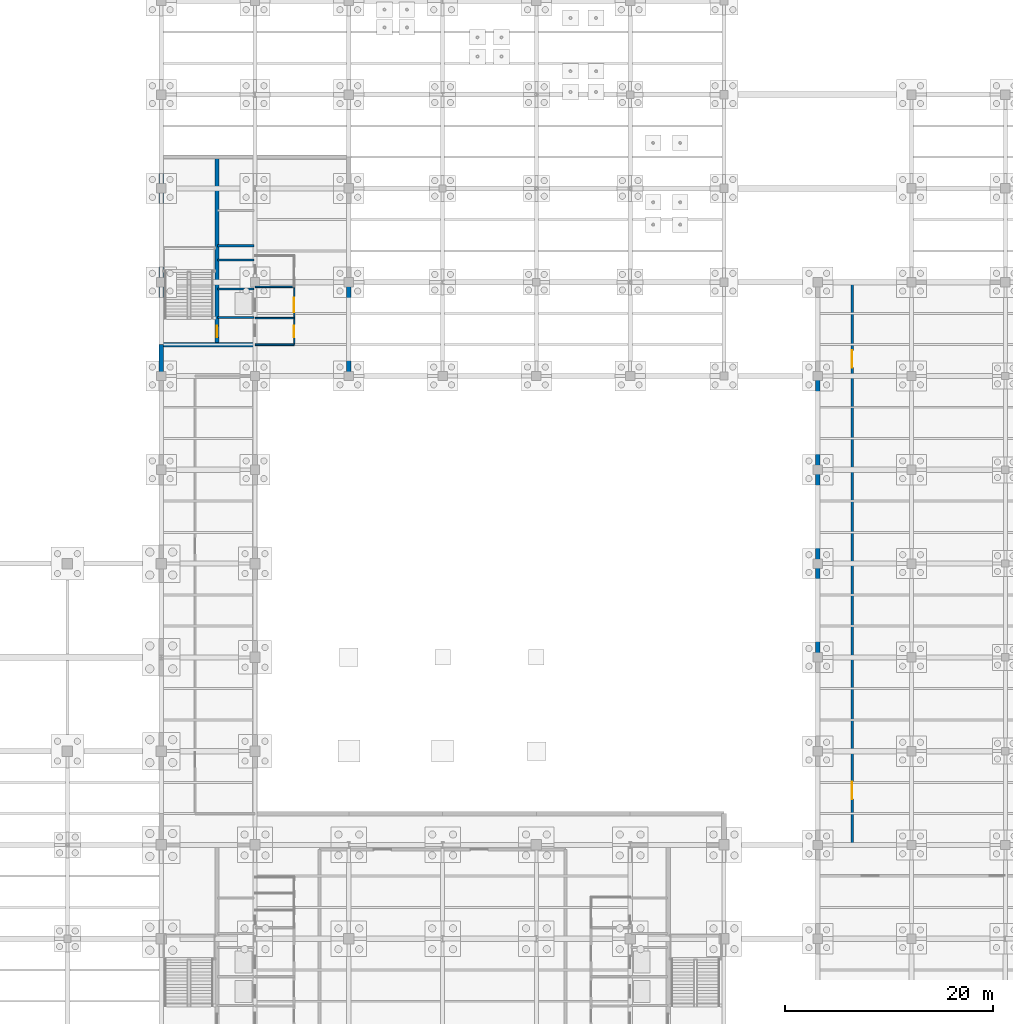
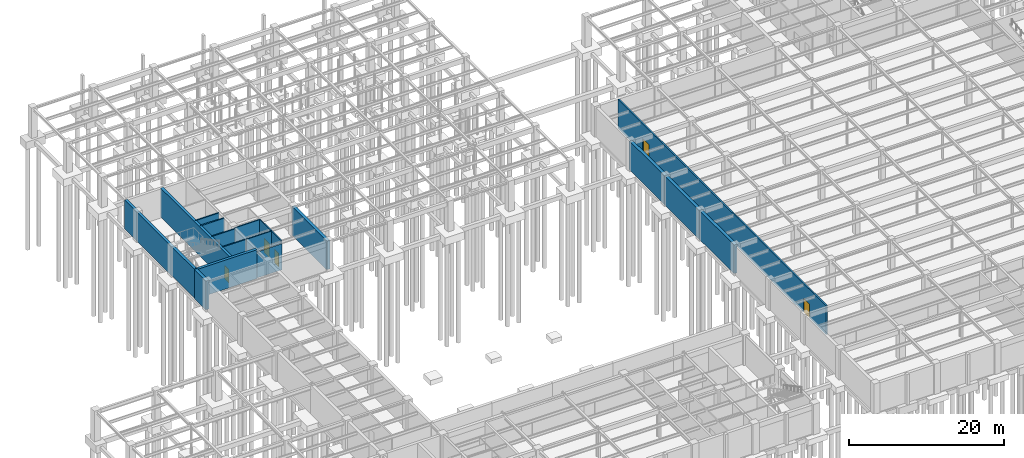
# One storey, part 42 of 49: 17 walls, 5 doors, 5 openings.
"""IFC4 building model written with IfcOpenShell, lengths in metres."""

from ifc_helpers import new_model, si_unit, direction, frame, frame_2d, origin, place, context, subcontext, project, spatial, rectangle, extrude, material, layer, layer_set, type_object, element, fill, save


model = new_model("IFC4")

# Units and contexts
model_context = context("Model", 3, precision=1e-05, world=origin(), true_north=direction((0.0, 1.0)))
body_context = subcontext(model_context, "Body", "Model", "MODEL_VIEW")
ifc_project = project(units=[si_unit("LENGTHUNIT", "METRE"), si_unit("AREAUNIT", "SQUARE_METRE"), si_unit("VOLUMEUNIT", "CUBIC_METRE"), si_unit("PLANEANGLEUNIT", "RADIAN"), si_unit("MASSUNIT", "GRAM", prefix="KILO")], contexts=[model_context])

# Site, building, storey
site_placement = place(None, origin())
site = spatial("IfcSite", under=ifc_project, at=site_placement, CompositionType="ELEMENT")
building_placement = place(site_placement, origin())
building = spatial("IfcBuilding", under=site, at=building_placement, Name="Lykobir Media Centre", CompositionType="ELEMENT")
storey_placement = place(building_placement, frame((0.0, 0.0, -4.800048828125)))
storey = spatial("IfcBuildingStorey", under=building, at=storey_placement, Name="B1", CompositionType="ELEMENT", Elevation=-4.800048828125)

# Walls
ifc_material_1 = material(Name="Concrete C35/45", Category="concrete")
ifc_layer_1 = layer(ifc_material_1, 0.449951171875, Name="Concrete C35/45")
ifc_layer_set_1 = layer_set([ifc_layer_1], Name="Concrete C35/45")
wall_type_1 = type_object("IfcWallType", Name="BW-RET-450", PredefinedType="USERDEFINED", material=ifc_layer_set_1)
for number, where, z_axis, x_axis, name in (
    (1, (90.0, 45.0, 0.0), (0.0, 0.0, 1.0), (0.0, -1.0, 0.0), "Basement retaining wall WALL-B1-0018"),
    (2, (90.0, 54.0, 0.0), (0.0, 0.0, 1.0), (0.0, -1.0, 0.0), "Basement retaining wall WALL-B1-0019"),
    (3, (90.0, 63.0, 0.0), (0.0, 0.0, 1.0), (0.0, -1.0, 0.0), "Basement retaining wall WALL-B1-0020"),
    (4, (45.0, 63.0, 0.0), (0.0, 0.0, 1.0), (0.0, 1.0, 0.0), "Basement retaining wall WALL-B1-0042"),
):
    element("IfcWall", number, at=place(storey_placement, frame(where, z_axis=z_axis, x_axis=x_axis)), inside=storey, type_object=wall_type_1, Name=name, ObjectType="RETAININGWALL", PredefinedType="USERDEFINED", context=body_context, shape_type="SweptSolid", body=[
        extrude(rectangle(XDim=9.0, YDim=0.449951171875, at=frame_2d((4.5, 0.0))), origin(), (0.0, 0.0, 1.0), 4.550048828125),
    ])
wall_1_placement = place(storey_placement, frame((27.0, 66.0, 0.0), z_axis=(0.0, 0.0, 1.0), x_axis=(0.0, -1.0, 0.0)))
element("IfcWall", 5, at=wall_1_placement, inside=storey, type_object=wall_type_1, Name="Basement retaining wall WALL-B1-0051", ObjectType="RETAININGWALL", PredefinedType="USERDEFINED", context=body_context, shape_type="SweptSolid", body=[
    extrude(rectangle(XDim=3.0, YDim=0.449951171875, at=frame_2d((1.5, 0.0))), origin(), (0.0, 0.0, 1.0), 4.550048828125),
])

# Wall, openings, doors
ifc_material_2 = material(Name="Acoustic Gypsum Board", Category="gypsum")
ifc_layer_2 = layer(ifc_material_2, 0.159912109375, Name="Acoustic Gypsum Board")
ifc_layer_set_2 = layer_set([ifc_layer_2], Name="Acoustic Gypsum Board")
wall_type_2 = type_object("IfcWallType", Name="IW-COR-160", PredefinedType="PARTITIONING", material=ifc_layer_set_2)
wall_2_placement = place(storey_placement, frame((39.75, 66.0, 0.0), z_axis=(0.0, 0.0, 1.0), x_axis=(0.0, 1.0, 0.0)))
wall_2 = element("IfcWall", 6, at=wall_2_placement, inside=storey, type_object=wall_type_2, Name="Wall IWALL-B1-0353", PredefinedType="PARTITIONING", context=body_context, shape_type="SweptSolid", body=[
    extrude(rectangle(XDim=5.550048828125, YDim=0.159912109375, at=frame_2d((2.77490234375, 0.0))), origin(), (0.0, 0.0, 1.0), 4.550048828125),
])
opening_1_placement = place(wall_2_placement, frame((0.699951171875, 0.0, 0.0)))
opening_1 = element("IfcOpeningElement", 7, at=opening_1_placement, cuts=wall_2, Name="Opening D-B1-C3LV", PredefinedType="OPENING", context=body_context, shape_type="SweptSolid", body=[
    extrude(rectangle(XDim=1.10009765625, YDim=2.159912109375, at=frame_2d((0.550048828125, 1.080078125))), frame((0.0, 0.08984375, 0.0), z_axis=(0.0, -1.0, 0.0), x_axis=(1.0, 0.0, 0.0)), (0.0, 0.0, 1.0), 0.179931640625),
])
opening_2_placement = place(wall_2_placement, frame((3.10009765625, 0.0, 0.0)))
opening_2 = element("IfcOpeningElement", 8, at=opening_2_placement, cuts=wall_2, Name="Opening D-B1-C3PL", PredefinedType="OPENING", context=body_context, shape_type="SweptSolid", body=[
    extrude(rectangle(XDim=1.39990234375, YDim=2.199951171875, at=frame_2d((0.699951171875, 1.10009765625))), frame((0.0, 0.08984375, 0.0), z_axis=(0.0, -1.0, 0.0), x_axis=(1.0, 0.0, 0.0)), (0.0, 0.0, 1.0), 0.179931640625),
])
ifc_material_3 = material(Name="Acoustic Timber Panelling", Category="wood")
door_type_1 = type_object("IfcDoorType", Name="FD-1100x2160", OperationType="NOTDEFINED", PredefinedType="DOOR", material=ifc_material_3)
door_1_placement = place(opening_1_placement, origin())
door_1 = element("IfcDoor", 9, at=door_1_placement, inside=storey, type_object=door_type_1, Name="Door D-B1-C3LV", OperationType="SINGLE_SWING_LEFT", OverallHeight=2.159912109375, OverallWidth=1.10009765625, PredefinedType="DOOR", context=body_context, shape_type="SweptSolid", body=[
    extrude(rectangle(XDim=1.10009765625, YDim=2.159912109375, at=frame_2d((0.550048828125, 1.080078125))), frame((0.0, 0.02490234375, 0.0), z_axis=(0.0, -1.0, 0.0), x_axis=(1.0, 0.0, 0.0)), (0.0, 0.0, 1.0), 0.050048828125),
])
fill(opening_1, door_1)
door_type_2 = type_object("IfcDoorType", Name="FD-1400x2200", OperationType="NOTDEFINED", PredefinedType="DOOR", material=ifc_material_3)
door_2_placement = place(opening_2_placement, origin())
door_2 = element("IfcDoor", 10, at=door_2_placement, inside=storey, type_object=door_type_2, Name="Door D-B1-C3PL", OperationType="DOUBLE_DOOR_SINGLE_SWING", OverallHeight=2.199951171875, OverallWidth=1.39990234375, PredefinedType="DOOR", context=body_context, shape_type="SweptSolid", body=[
    extrude(rectangle(XDim=1.39990234375, YDim=2.199951171875, at=frame_2d((0.699951171875, 1.10009765625))), frame((0.0, 0.02490234375, 0.0), z_axis=(0.0, -1.0, 0.0), x_axis=(1.0, 0.0, 0.0)), (0.0, 0.0, 1.0), 0.050048828125),
])
fill(opening_2, door_2)

# Walls
wall_3_placement = place(storey_placement, frame((36.0, 66.0, 0.0), z_axis=(0.0, 0.0, 1.0), x_axis=(1.0, 0.0, 0.0)))
element("IfcWall", 11, at=wall_3_placement, inside=storey, type_object=wall_type_2, Name="Wall IWALL-B1-0354", PredefinedType="PARTITIONING", context=body_context, shape_type="SweptSolid", body=[
    extrude(rectangle(XDim=3.75, YDim=0.159912109375, at=frame_2d((1.875, 0.0))), origin(), (0.0, 0.0, 1.0), 4.0849609375),
])
for number, where, z_axis, x_axis, name in (
    (12, (36.0, 68.550048828125, 0.0), (0.0, 0.0, 1.0), (1.0, 0.0, 0.0), "Wall IWALL-B1-0355"),
    (13, (36.0, 71.550048828125, 0.0), (0.0, 0.0, 1.0), (1.0, 0.0, 0.0), "Wall IWALL-B1-0356"),
):
    element("IfcWall", number, at=place(storey_placement, frame(where, z_axis=z_axis, x_axis=x_axis)), inside=storey, type_object=wall_type_2, Name=name, PredefinedType="PARTITIONING", context=body_context, shape_type="SweptSolid", body=[
        extrude(rectangle(XDim=3.75, YDim=0.159912109375, at=frame_2d((1.875, 0.0))), origin(), (0.0, 0.0, 1.0), 4.550048828125),
    ])
ifc_material_4 = material(Name="Concrete C30/37", Category="concrete")
ifc_layer_3 = layer(ifc_material_4, 0.199951171875, Name="Concrete C30/37")
ifc_layer_set_3 = layer_set([ifc_layer_3], Name="Concrete C30/37")
wall_type_3 = type_object("IfcWallType", Name="IW-SHAFT-200", PredefinedType="PARTITIONING", material=ifc_layer_set_3)
for number, where, z_axis, x_axis, name in (
    (14, (32.39990234375, 68.60009765625, 0.0), (0.0, 0.0, 1.0), (1.0, 0.0, 0.0), "Wall IWALL-B1-0348"),
    (15, (32.39990234375, 71.35009765625, 0.0), (0.0, 0.0, 1.0), (1.0, 0.0, 0.0), "Wall IWALL-B1-0349"),
    (16, (32.39990234375, 74.14990234375, 0.0), (0.0, 0.0, 1.0), (1.0, 0.0, 0.0), "Wall IWALL-B1-0350"),
    (17, (32.39990234375, 75.5, 0.0), (0.0, 0.0, 1.0), (1.0, 0.0, 0.0), "Wall IWALL-B1-0351"),
):
    element("IfcWall", number, at=place(storey_placement, frame(where, z_axis=z_axis, x_axis=x_axis)), inside=storey, type_object=wall_type_3, Name=name, PredefinedType="PARTITIONING", context=body_context, shape_type="SweptSolid", body=[
        extrude(rectangle(XDim=3.5, YDim=0.199951171875, at=frame_2d((1.75, 0.0))), origin(), (0.0, 0.0, 1.0), 4.550048828125),
    ])

# Wall, openings, doors
ifc_layer_4 = layer(ifc_material_2, 0.219970703125, Name="Acoustic Gypsum Board")
ifc_layer_set_4 = layer_set([ifc_layer_4], Name="Acoustic Gypsum Board")
wall_type_4 = type_object("IfcWallType", Name="IW-STU-220", PredefinedType="PARTITIONING", material=ifc_layer_set_4)
wall_4_placement = place(storey_placement, frame((93.300048828125, 18.199951171875, 0.0), z_axis=(0.0, 0.0, 1.0), x_axis=(0.0, 1.0, 0.0)))
wall_4 = element("IfcWall", 18, at=wall_4_placement, inside=storey, type_object=wall_type_4, Name="Wall IWALL-B1-0652", PredefinedType="PARTITIONING", context=body_context, shape_type="SweptSolid", body=[
    extrude(rectangle(XDim=53.60009765625, YDim=0.219970703125, at=frame_2d((26.800048828125, 0.0))), origin(), (0.0, 0.0, 1.0), 4.550048828125),
])
opening_3_placement = place(wall_4_placement, frame((4.199951171875, 0.0, 0.0)))
opening_3 = element("IfcOpeningElement", 19, at=opening_3_placement, cuts=wall_4, Name="Opening D-B1-EP1", PredefinedType="OPENING", context=body_context, shape_type="SweptSolid", body=[
    extrude(rectangle(XDim=1.64990234375, YDim=2.25, at=frame_2d((0.824951171875, 1.125))), frame((0.0, 0.119873046875, 0.0), z_axis=(0.0, -1.0, 0.0), x_axis=(1.0, 0.0, 0.0)), (0.0, 0.0, 1.0), 0.239990234375),
])
opening_4_placement = place(wall_4_placement, frame((45.60009765625, 0.0, 0.0)))
opening_4 = element("IfcOpeningElement", 20, at=opening_4_placement, cuts=wall_4, Name="Opening D-B1-EP2", PredefinedType="OPENING", context=body_context, shape_type="SweptSolid", body=[
    extrude(rectangle(XDim=1.64990234375, YDim=2.25, at=frame_2d((0.824951171875, 1.125))), frame((0.0, 0.119873046875, 0.0), z_axis=(0.0, -1.0, 0.0), x_axis=(1.0, 0.0, 0.0)), (0.0, 0.0, 1.0), 0.239990234375),
])
door_type_3 = type_object("IfcDoorType", Name="FD-1650x2250", OperationType="NOTDEFINED", PredefinedType="DOOR", material=ifc_material_3)
door_3_placement = place(opening_3_placement, origin())
door_3 = element("IfcDoor", 21, at=door_3_placement, inside=storey, type_object=door_type_3, Name="Door D-B1-EP1", OperationType="DOUBLE_DOOR_SINGLE_SWING", OverallHeight=2.25, OverallWidth=1.64990234375, PredefinedType="DOOR", context=body_context, shape_type="SweptSolid", body=[
    extrude(rectangle(XDim=1.64990234375, YDim=2.25, at=frame_2d((0.824951171875, 1.125))), frame((0.0, 0.02490234375, 0.0), z_axis=(0.0, -1.0, 0.0), x_axis=(1.0, 0.0, 0.0)), (0.0, 0.0, 1.0), 0.050048828125),
])
fill(opening_3, door_3)
door_4_placement = place(opening_4_placement, origin())
door_4 = element("IfcDoor", 22, at=door_4_placement, inside=storey, type_object=door_type_3, Name="Door D-B1-EP2", OperationType="DOUBLE_DOOR_SINGLE_SWING", OverallHeight=2.25, OverallWidth=1.64990234375, PredefinedType="DOOR", context=body_context, shape_type="SweptSolid", body=[
    extrude(rectangle(XDim=1.64990234375, YDim=2.25, at=frame_2d((0.824951171875, 1.125))), frame((0.0, 0.02490234375, 0.0), z_axis=(0.0, -1.0, 0.0), x_axis=(1.0, 0.0, 0.0)), (0.0, 0.0, 1.0), 0.050048828125),
])
fill(opening_4, door_4)

# Walls
ifc_material_5 = material(Name="Concrete C40/50", Category="concrete")
ifc_layer_5 = layer(ifc_material_5, 0.39990234375, Name="Concrete C40/50")
ifc_layer_set_5 = layer_set([ifc_layer_5], Name="Concrete C40/50")
wall_type_5 = type_object("IfcWallType", Name="SW-CORE-400", PredefinedType="SHEAR", material=ifc_layer_set_5)
wall_5_placement = place(storey_placement, frame((27.0, 66.0, 0.0), z_axis=(0.0, 0.0, 1.0), x_axis=(1.0, 0.0, 0.0)))
element("IfcWall", 23, at=wall_5_placement, inside=storey, type_object=wall_type_5, Name="Wall IWALL-B1-0343", PredefinedType="SHEAR", context=body_context, shape_type="SweptSolid", body=[
    extrude(rectangle(XDim=9.0, YDim=0.39990234375, at=frame_2d((4.5, 0.0))), origin(), (0.0, 0.0, 1.0), 4.550048828125),
])
wall_6_placement = place(storey_placement, frame((27.0, 84.0, 0.0), z_axis=(0.0, 0.0, 1.0), x_axis=(0.0, -1.0, 0.0)))
element("IfcWall", 24, at=wall_6_placement, inside=storey, type_object=wall_type_5, Name="Wall IWALL-B1-0346", PredefinedType="SHEAR", context=body_context, shape_type="SweptSolid", body=[
    extrude(rectangle(XDim=18.0, YDim=0.39990234375, at=frame_2d((9.0, 0.0))), origin(), (0.0, 0.0, 1.0), 4.550048828125),
])

# Wall, opening, door
wall_7_placement = place(storey_placement, frame((32.35009765625, 66.0, 0.0), z_axis=(0.0, 0.0, 1.0), x_axis=(0.0, 1.0, 0.0)))
wall_7 = element("IfcWall", 25, at=wall_7_placement, inside=storey, type_object=wall_type_5, Name="Wall IWALL-B1-0347", PredefinedType="SHEAR", context=body_context, shape_type="SweptSolid", body=[
    extrude(rectangle(XDim=18.0, YDim=0.39990234375, at=frame_2d((9.0, 0.0))), origin(), (0.0, 0.0, 1.0), 4.550048828125),
])
opening_5_placement = place(wall_7_placement, frame((0.699951171875, 0.0, 0.0)))
opening_5 = element("IfcOpeningElement", 26, at=opening_5_placement, cuts=wall_7, Name="Opening D-B1-C3ST", PredefinedType="OPENING", context=body_context, shape_type="SweptSolid", body=[
    extrude(rectangle(XDim=1.10009765625, YDim=2.159912109375, at=frame_2d((0.550048828125, 1.080078125))), frame((0.0, 0.2099609375, 0.0), z_axis=(0.0, -1.0, 0.0), x_axis=(1.0, 0.0, 0.0)), (0.0, 0.0, 1.0), 0.419921875),
])
door_5_placement = place(opening_5_placement, frame((1.10009765625, 0.0, 0.0), z_axis=(0.0, 0.0, 1.0), x_axis=(-1.0, 0.0, 0.0)))
door_5 = element("IfcDoor", 27, at=door_5_placement, inside=storey, type_object=door_type_1, Name="B1 ST-3 stairwell fire door", OperationType="SINGLE_SWING_RIGHT", OverallHeight=2.159912109375, OverallWidth=1.10009765625, PredefinedType="DOOR", context=body_context, shape_type="SweptSolid", body=[
    extrude(rectangle(XDim=1.10009765625, YDim=2.159912109375, at=frame_2d((0.550048828125, 1.080078125))), frame((0.0, 0.02490234375, 0.0), z_axis=(0.0, -1.0, 0.0), x_axis=(1.0, 0.0, 0.0)), (0.0, 0.0, 1.0), 0.050048828125),
])
fill(opening_5, door_5)

save(model, "model.ifc")
